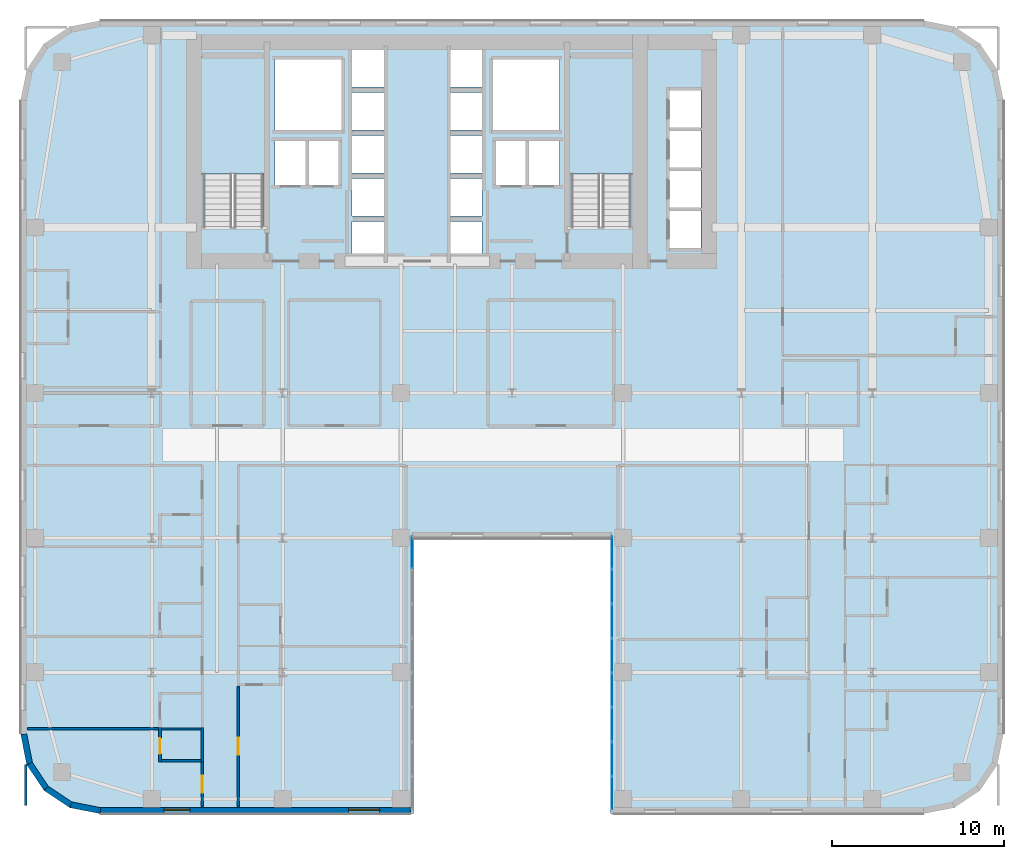
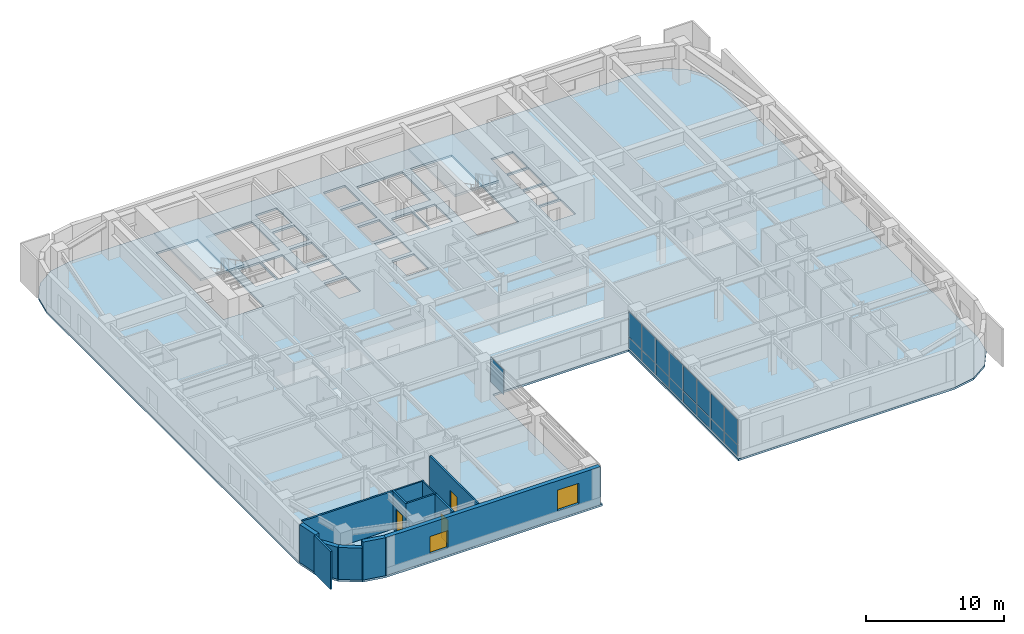
# One storey, part 13 of 25: 17 plates, 13 walls, 3 doors, 3 slabs, 2 windows, 5 openings, 4 elements without a shape of their own.
"""IFC4 building model written with IfcOpenShell, lengths in metres."""

import ifcopenshell
import ifcopenshell.guid

model = None  # the IFC model being written
_history = None  # IfcOwnerHistory: only IFC2X3 demands one
_inside = {}  # id of a spatial element -> (the spatial element, [elements in it])
_under = {}  # id of a project, library or spatial element -> (it, [spatial elements below it])
_declared = {}  # id of a project -> (the project, [libraries it declares])
_typed = {}  # id of a type object -> (the type object, [elements of that type])
_made_of = {}  # id of a material, layer set ... -> (it, [elements and type objects made of it])


def new_model(schema):
    """Start an empty IFC model of exactly this schema.

    Asked for "IFC4X3", IfcOpenShell would pick the latest addendum, in which some entities
    have other attributes; the version numbers below select the first issue.
    IFC2X3 requires an IfcOwnerHistory on every rooted entity: one is made here for all.
    """
    global model, _history
    if schema == "IFC4X3":
        model = ifcopenshell.file(schema_version=(4, 3, 0, 0))
    else:
        model = ifcopenshell.file(schema=schema)
    _inside.clear()
    _under.clear()
    _declared.clear()
    _typed.clear()
    _made_of.clear()
    _history = None
    if model.schema == "IFC2X3":
        org = make("IfcOrganization", Name="unknown")
        user = make(
            "IfcPersonAndOrganization",
            ThePerson=make("IfcPerson", FamilyName="unknown"),
            TheOrganization=org,
        )
        app = make(
            "IfcApplication",
            ApplicationDeveloper=org,
            Version="unknown",
            ApplicationFullName="unknown",
            ApplicationIdentifier="unknown",
        )
        _history = make(
            "IfcOwnerHistory",
            OwningUser=user,
            OwningApplication=app,
            ChangeAction="ADDED",
            CreationDate=0,
        )
    return model


def make(cls, **values):
    """One entity of the class cls with the attributes given. An attribute that is None is left unset."""
    return model.create_entity(
        cls, **{name: value for name, value in values.items() if value is not None}
    )


def rooted(cls, **values):
    """An entity with a GlobalId (a new one), such as an element, a storey or a relation."""
    return make(cls, GlobalId=ifcopenshell.guid.new(), OwnerHistory=_history, **values)


def si_unit(unit_type, name, prefix=None):
    """IfcSIUnit, for example si_unit("LENGTHUNIT", "METRE", prefix="MILLI")."""
    return make("IfcSIUnit", UnitType=unit_type, Prefix=prefix, Name=name)


def assignment(units):
    """IfcUnitAssignment: the units of a project."""
    return None if units is None else make("IfcUnitAssignment", Units=units)


def point(xyz):
    """IfcCartesianPoint."""
    return None if xyz is None else make("IfcCartesianPoint", Coordinates=xyz)


def direction(xyz):
    """IfcDirection."""
    return None if xyz is None else make("IfcDirection", DirectionRatios=xyz)


def frame(location, z_axis=None, x_axis=None):
    """IfcAxis2Placement3D, a coordinate frame: its origin and axes. An axis left out is left unset."""
    return make(
        "IfcAxis2Placement3D",
        Location=point(location),
        Axis=direction(z_axis),
        RefDirection=direction(x_axis),
    )


def frame_2d(location, x_axis=None):
    """IfcAxis2Placement2D, a coordinate frame in the plane: its origin and x axis."""
    return make(
        "IfcAxis2Placement2D", Location=point(location), RefDirection=direction(x_axis)
    )


def origin():
    """The frame at (0, 0, 0) with its axes left unset."""
    return frame((0.0, 0.0, 0.0))


def origin_2d():
    """The frame at (0, 0) in the plane with its x axis left unset."""
    return frame_2d((0.0, 0.0))


def place(relative_to, where):
    """IfcLocalPlacement: puts the frame where relative to a parent placement (None: the world)."""
    return make(
        "IfcLocalPlacement", PlacementRelTo=relative_to, RelativePlacement=where
    )


def context(
    kind, dimensions, precision=None, world=None, true_north=None, identifier=None
):
    """IfcGeometricRepresentationContext, for example the 3D "Model" context."""
    return make(
        "IfcGeometricRepresentationContext",
        ContextIdentifier=identifier,
        ContextType=kind,
        CoordinateSpaceDimension=dimensions,
        Precision=precision,
        WorldCoordinateSystem=world,
        TrueNorth=true_north,
    )


def subcontext(parent, identifier, kind, view, scale=None):
    """IfcGeometricRepresentationSubContext, for example "Body" below "Model"."""
    return make(
        "IfcGeometricRepresentationSubContext",
        ContextIdentifier=identifier,
        ContextType=kind,
        ParentContext=parent,
        TargetScale=scale,
        TargetView=view,
    )


def project(units=None, contexts=None):
    """IfcProject with its units and contexts."""
    return rooted(
        "IfcProject",
        Name="project",
        RepresentationContexts=contexts,
        UnitsInContext=assignment(units),
    )


def spatial(cls, under=None, at=None, **own):
    """A site, building, storey or space (cls), placed at a placement, below another one or the project."""
    s = rooted(cls, ObjectPlacement=at, **own)
    if under is not None:
        _under.setdefault(under.id(), (under, []))[1].append(s)
    return s


def polyline(points):
    """IfcPolyline through the points."""
    return make("IfcPolyline", Points=[point(p) for p in points])


def profile(cls, at=None, kind="AREA", **sizes):
    """A parametric profile (cls). Its sizes go by their IFC names, for example OverallWidth=200.0."""
    return make(cls, ProfileType=kind, Position=at, **sizes)


def rectangle(**sizes):
    """IfcRectangleProfileDef."""
    return profile("IfcRectangleProfileDef", **sizes)


def outline(outer, holes=None, kind="AREA"):
    """IfcArbitraryClosedProfileDef: a profile drawn as a closed curve; with holes, ...WithVoids."""
    if holes is None:
        return make("IfcArbitraryClosedProfileDef", ProfileType=kind, OuterCurve=outer)
    return make(
        "IfcArbitraryProfileDefWithVoids",
        ProfileType=kind,
        OuterCurve=outer,
        InnerCurves=holes,
    )


def extrude(swept, where, along, depth):
    """IfcExtrudedAreaSolid: the profile swept, set in the frame where, extruded along a direction by depth."""
    return make(
        "IfcExtrudedAreaSolid",
        SweptArea=swept,
        Position=where,
        ExtrudedDirection=direction(along),
        Depth=depth,
    )


def shape(context_of_items, identifier, shape_type, items):
    """IfcShapeRepresentation: the items that make up one representation, for example the "Body"."""
    return make(
        "IfcShapeRepresentation",
        ContextOfItems=context_of_items,
        RepresentationIdentifier=identifier,
        RepresentationType=shape_type,
        Items=items,
    )


def source(mapping_origin, context_of_items, identifier, shape_type, items):
    """IfcRepresentationMap: a shape defined once, which mapped items show again and again."""
    return make(
        "IfcRepresentationMap",
        MappingOrigin=mapping_origin,
        MappedRepresentation=shape(context_of_items, identifier, shape_type, items),
    )


def transform(
    local_origin,
    x_axis=None,
    y_axis=None,
    z_axis=None,
    scale=None,
    scale2=None,
    scale3=None,
    uniform=True,
):
    """IfcCartesianTransformationOperator3D, or its non-uniform kind. x_axis, y_axis, z_axis: its Axis1, 2, 3."""
    if uniform:
        return make(
            "IfcCartesianTransformationOperator3D",
            Axis1=direction(x_axis),
            Axis2=direction(y_axis),
            LocalOrigin=point(local_origin),
            Scale=scale,
            Axis3=direction(z_axis),
        )
    return make(
        "IfcCartesianTransformationOperator3DnonUniform",
        Axis1=direction(x_axis),
        Axis2=direction(y_axis),
        LocalOrigin=point(local_origin),
        Scale=scale,
        Axis3=direction(z_axis),
        Scale2=scale2,
        Scale3=scale3,
    )


def mapped(mapping_source, mapping_target):
    """IfcMappedItem: shows the shape of a source again, moved by a transform."""
    return make(
        "IfcMappedItem", MappingSource=mapping_source, MappingTarget=mapping_target
    )


def material(Name=None, Category=None):
    """IfcMaterial."""
    return make("IfcMaterial", Name=Name, Category=Category)


def layer(
    of_material, thickness, ventilated=None, Name=None, Category=None, Priority=None
):
    """IfcMaterialLayer: one layer of a wall or slab, of a material (None: an air gap)."""
    return make(
        "IfcMaterialLayer",
        Material=of_material,
        LayerThickness=thickness,
        IsVentilated=ventilated,
        Name=Name,
        Category=Category,
        Priority=Priority,
    )


def layer_set(layers, Name=None):
    """IfcMaterialLayerSet."""
    return make("IfcMaterialLayerSet", MaterialLayers=layers, LayerSetName=Name)


def made_of(thing, what):
    """Note that an element or type object is made of a material, layer set ...; save() writes the relation."""
    if what is not None:
        _made_of.setdefault(what.id(), (what, []))[1].append(thing)
    return thing


def type_object(cls, material=None, **own):
    """A type object (cls), such as IfcWallType, which elements share."""
    return made_of(rooted(cls, **own), material)


def type_shapes(of_type, sources):
    """Give a type object the sources (RepresentationMaps) that its elements show as mapped items."""
    of_type.RepresentationMaps = sources


def element(
    cls,
    number,
    at=None,
    inside=None,
    cuts=None,
    type_object=None,
    material=None,
    context=None,
    identifier="Body",
    shape_type=None,
    held_by="IfcProductDefinitionShape",
    body=None,
    shapes=None,
    **own,
):
    """One element of the class cls, such as IfcWall. Its Tag is "e" and its number.

    at: its placement. inside: the storey or other place that contains it. cuts: it is an
    opening in that element (IfcRelVoidsElement). A single representation is given by context,
    identifier, shape_type and body (its items); several are given by shapes. held_by: the class
    of the entity that holds the representations. save() writes the other relations.
    """
    e = rooted(cls, Tag="e%d" % number, ObjectPlacement=at, **own)
    if body is not None:
        shapes = [shape(context, identifier, shape_type, body)]
    if shapes is not None:
        e.Representation = make(held_by, Representations=shapes)
    if inside is not None:
        _inside.setdefault(inside.id(), (inside, []))[1].append(e)
    if cuts is not None:
        rooted(
            "IfcRelVoidsElement", RelatingBuildingElement=cuts, RelatedOpeningElement=e
        )
    if type_object is not None:
        _typed.setdefault(type_object.id(), (type_object, []))[1].append(e)
    return made_of(e, material)


def fill(opening, filler):
    """IfcRelFillsElement: the door or window that sits in an opening."""
    return rooted(
        "IfcRelFillsElement",
        RelatingOpeningElement=opening,
        RelatedBuildingElement=filler,
    )


def aggregate(whole, parts):
    """IfcRelAggregates: a whole, such as a stair, and the parts it consists of."""
    return rooted("IfcRelAggregates", RelatingObject=whole, RelatedObjects=parts)


def save(model, path):
    """Write the relations noted so far, then the file.

    IfcRelAggregates (storeys below a building ...), IfcRelContainedInSpatialStructure (elements
    in a storey), IfcRelDefinesByType, IfcRelAssociatesMaterial and IfcRelDeclares: one each for
    every whole, place, type object, material and project.
    """
    for whole, parts in _under.values():
        aggregate(whole, parts)
    for where, things in _inside.values():
        rooted(
            "IfcRelContainedInSpatialStructure",
            RelatedElements=things,
            RelatingStructure=where,
        )
    for kind, things in _typed.values():
        rooted("IfcRelDefinesByType", RelatedObjects=things, RelatingType=kind)
    for what, things in _made_of.values():
        rooted("IfcRelAssociatesMaterial", RelatedObjects=things, RelatingMaterial=what)
    for by, libraries in _declared.values():
        rooted("IfcRelDeclares", RelatingContext=by, RelatedDefinitions=libraries)
    model.write(path)


model = new_model("IFC4")

# Units and contexts
model_context = context("Model", 3, precision=1e-05, world=origin(), true_north=direction((0.0, 1.0)))
body_context = subcontext(model_context, "Body", "Model", "MODEL_VIEW")
ifc_project = project(units=[si_unit("LENGTHUNIT", "METRE"), si_unit("AREAUNIT", "SQUARE_METRE"), si_unit("VOLUMEUNIT", "CUBIC_METRE"), si_unit("PLANEANGLEUNIT", "RADIAN"), si_unit("MASSUNIT", "GRAM", prefix="KILO")], contexts=[model_context])

# Site, building, storey
site_placement = place(None, origin())
site = spatial("IfcSite", under=ifc_project, at=site_placement, CompositionType="ELEMENT")
building_placement = place(site_placement, origin())
building = spatial("IfcBuilding", under=site, at=building_placement, Name="Tolvann Quenvar Hotel", CompositionType="ELEMENT")
storey_placement = place(building_placement, frame((0.0, 0.0, 60.39990234375)))
storey = spatial("IfcBuildingStorey", under=building, at=storey_placement, Name="L14", CompositionType="ELEMENT", Elevation=60.39990234375)

# Stair, slab
ifc_material_1 = material(Name="Concrete N40 (40 MPa)", Category="concrete")
stair_type = type_object("IfcStairType", Name="STAIR", PredefinedType="HALF_TURN_STAIR", material=ifc_material_1)
stair_1_placement = place(storey_placement, origin())
stair_1 = element("IfcStair", 1, at=stair_1_placement, inside=storey, type_object=stair_type, Name="L14 ST-C1", PredefinedType="HALF_TURN_STAIR")
ifc_layer_1 = layer(ifc_material_1, 0.199951171875)
ifc_layer_set_1 = layer_set([ifc_layer_1], Name="Concrete N40 (40 MPa)")
slab_type_1 = type_object("IfcSlabType", Name="SLAB_LANDING", PredefinedType="LANDING", material=ifc_layer_set_1)
slab_1_placement = place(storey_placement, frame((0.0, 0.0, 1.5751953125)))
slab_1 = element("IfcSlab", 2, at=slab_1_placement, type_object=slab_type_1, Name="ST-C1 landing 1", PredefinedType="LANDING", context=body_context, shape_type="SweptSolid", body=[
    extrude(outline(polyline([(14.179931640625, 37.10498046875), (14.179931640625, 43.8798828125), (10.469970703125, 43.8798828125), (10.469970703125, 37.10498046875), (14.179931640625, 37.10498046875)])), origin(), (0.0, 0.0, 1.0), 0.199951171875),
])
aggregate(stair_1, [slab_1])

stair_2_placement = place(storey_placement, origin())
stair_2 = element("IfcStair", 3, at=stair_2_placement, inside=storey, type_object=stair_type, Name="L14 ST-C2", PredefinedType="HALF_TURN_STAIR")
slab_2_placement = place(storey_placement, frame((0.0, 0.0, 1.5751953125)))
slab_2 = element("IfcSlab", 4, at=slab_2_placement, type_object=slab_type_1, Name="ST-C2 landing 1", PredefinedType="LANDING", context=body_context, shape_type="SweptSolid", body=[
    extrude(outline(polyline([(35.530029296875, 37.10498046875), (35.530029296875, 43.8798828125), (31.820068359375, 43.8798828125), (31.820068359375, 37.10498046875), (35.530029296875, 37.10498046875)])), origin(), (0.0, 0.0, 1.0), 0.199951171875),
])
aggregate(stair_2, [slab_2])

# Slab
ifc_layer_2 = layer(ifc_material_1, 0.179931640625)
ifc_layer_set_2 = layer_set([ifc_layer_2], Name="Concrete N40 (40 MPa)")
slab_type_2 = type_object("IfcSlabType", Name="SLAB_TWR_180", PredefinedType="FLOOR", material=ifc_layer_set_2)
slab_3_placement = place(storey_placement, frame((0.0, 0.0, -0.179931640625)))
element("IfcSlab", 5, at=slab_3_placement, inside=storey, type_object=slab_type_2, Name="Level L14 Structural Floor Slab", PredefinedType="FLOOR", context=body_context, shape_type="SweptSolid", body=[
    extrude(outline(polyline([(0.0, 4.60009765625), (0.35009765625, 2.839599609375), (1.347412109375, 1.347412109375), (2.839599609375, 0.35009765625), (4.60009765625, 0.0), (22.800048828125, 0.0), (22.800048828125, 16.0), (34.199951171875, 16.0), (34.199951171875, 0.0), (52.39990234375, 0.0), (54.160400390625, 0.35009765625), (55.652587890625, 1.347412109375), (56.64990234375, 2.839599609375), (57.0, 4.60009765625), (57.0, 41.39990234375), (56.64990234375, 43.160400390625), (55.652587890625, 44.652587890625), (54.160400390625, 45.64990234375), (52.39990234375, 46.0), (4.60009765625, 46.0), (2.839599609375, 45.64990234375), (1.347412109375, 44.652587890625), (0.35009765625, 43.160400390625), (0.0, 41.39990234375), (0.0, 4.60009765625)]), holes=[polyline([(37.6298828125, 41.949951171875), (39.469970703125, 41.949951171875), (39.469970703125, 39.77001953125), (37.6298828125, 39.77001953125), (37.6298828125, 41.949951171875)]), polyline([(37.6298828125, 39.6298828125), (39.469970703125, 39.6298828125), (39.469970703125, 37.449951171875), (37.6298828125, 37.449951171875), (37.6298828125, 39.6298828125)]), polyline([(37.6298828125, 37.31005859375), (39.469970703125, 37.31005859375), (39.469970703125, 35.1298828125), (37.6298828125, 35.1298828125), (37.6298828125, 37.31005859375)]), polyline([(37.6298828125, 34.989990234375), (39.469970703125, 34.989990234375), (39.469970703125, 32.81005859375), (37.6298828125, 32.81005859375), (37.6298828125, 34.989990234375)]), polyline([(31.949951171875, 43.800048828125), (35.39990234375, 43.800048828125), (35.39990234375, 34.02490234375), (31.949951171875, 34.02490234375), (31.949951171875, 43.800048828125)]), polyline([(31.25, 39.02001953125), (31.25, 36.47998046875), (29.449951171875, 36.47998046875), (29.449951171875, 39.02001953125), (31.25, 39.02001953125)]), polyline([(31.25, 43.75), (31.25, 39.64990234375), (27.39990234375, 39.64990234375), (27.39990234375, 43.75), (31.25, 43.75)]), polyline([(27.574951171875, 39.02001953125), (29.324951171875, 39.02001953125), (29.324951171875, 36.47998046875), (27.574951171875, 36.47998046875), (27.574951171875, 39.02001953125)]), polyline([(26.77001953125, 36.840087890625), (26.77001953125, 34.659912109375), (24.929931640625, 34.659912109375), (24.929931640625, 36.840087890625), (26.77001953125, 36.840087890625)]), polyline([(26.77001953125, 44.340087890625), (26.77001953125, 42.159912109375), (24.929931640625, 42.159912109375), (24.929931640625, 44.340087890625), (26.77001953125, 44.340087890625)]), polyline([(26.77001953125, 41.840087890625), (26.77001953125, 39.659912109375), (24.929931640625, 39.659912109375), (24.929931640625, 41.840087890625), (26.77001953125, 41.840087890625)]), polyline([(26.77001953125, 39.340087890625), (26.77001953125, 37.159912109375), (24.929931640625, 37.159912109375), (24.929931640625, 39.340087890625), (26.77001953125, 39.340087890625)]), polyline([(24.929931640625, 34.340087890625), (26.77001953125, 34.340087890625), (26.77001953125, 32.159912109375), (24.929931640625, 32.159912109375), (24.929931640625, 34.340087890625)]), polyline([(21.070068359375, 44.340087890625), (21.070068359375, 42.159912109375), (19.22998046875, 42.159912109375), (19.22998046875, 44.340087890625), (21.070068359375, 44.340087890625)]), polyline([(19.22998046875, 41.840087890625), (21.070068359375, 41.840087890625), (21.070068359375, 39.659912109375), (19.22998046875, 39.659912109375), (19.22998046875, 41.840087890625)]), polyline([(21.070068359375, 39.340087890625), (21.070068359375, 37.159912109375), (19.22998046875, 37.159912109375), (19.22998046875, 39.340087890625), (21.070068359375, 39.340087890625)]), polyline([(19.22998046875, 36.840087890625), (21.070068359375, 36.840087890625), (21.070068359375, 34.659912109375), (19.22998046875, 34.659912109375), (19.22998046875, 36.840087890625)]), polyline([(19.22998046875, 34.340087890625), (21.070068359375, 34.340087890625), (21.070068359375, 32.159912109375), (19.22998046875, 32.159912109375), (19.22998046875, 34.340087890625)]), polyline([(18.60009765625, 43.75), (18.60009765625, 39.64990234375), (14.75, 39.64990234375), (14.75, 43.75), (18.60009765625, 43.75)]), polyline([(16.675048828125, 39.02001953125), (18.425048828125, 39.02001953125), (18.425048828125, 36.47998046875), (16.675048828125, 36.47998046875), (16.675048828125, 39.02001953125)]), polyline([(16.550048828125, 39.02001953125), (16.550048828125, 36.47998046875), (14.75, 36.47998046875), (14.75, 39.02001953125), (16.550048828125, 39.02001953125)]), polyline([(10.60009765625, 43.800048828125), (14.050048828125, 43.800048828125), (14.050048828125, 34.02490234375), (10.60009765625, 34.02490234375), (10.60009765625, 43.800048828125)])]), origin(), (0.0, 0.0, 1.0), 0.179931640625),
])

# Curtain wall, plates
ifc_material_2 = material(Name="Thermally broken anodised architectural aluminium 6063-T6 and laminated low-E glass", Category="aluminium")
ifc_layer_3 = layer(ifc_material_2, 0.179931640625)
ifc_layer_set_3 = layer_set([ifc_layer_3], Name="Thermally broken anodised architectural aluminium 6063-T6 and laminated low-E glass")
curtain_wall_type = type_object("IfcCurtainWallType", Name="CW_SYS_SLOT_03", PredefinedType="USERDEFINED", material=ifc_layer_set_3)
curtain_wall_1_placement = place(storey_placement, origin())
curtain_wall_1 = element("IfcCurtainWall", 6, at=curtain_wall_1_placement, inside=storey, type_object=curtain_wall_type, Name="Curtain Wall CW-SLOT-03 (CWR-L14-E07)", ObjectType="UNITISED CURTAIN WALL", PredefinedType="USERDEFINED")
ifc_material_3 = material(Name="Low-iron laminated double glazing with solar-control coating", Category="glass")
ifc_layer_4 = layer(ifc_material_3, 0.028076171875)
ifc_layer_set_4 = layer_set([ifc_layer_4], Name="Low-iron laminated double glazing with solar-control coating")
plate_type = type_object("IfcPlateType", Name="CW_PAN_VISION_28", PredefinedType="CURTAIN_PANEL", material=ifc_layer_set_4)
shared_shape_1 = source(origin(), body_context, "Body", "SweptSolid", [
    extrude(rectangle(XDim=1.89501953125, YDim=0.028076171875, at=origin_2d()), origin(), (0.0, 0.0, 1.0), 0.9599609375),
])
plate_1_placement = place(storey_placement, frame((34.2900390625, 15.157470703125, 0.06005859375), z_axis=(0.0, 0.0, 1.0), x_axis=(0.0, -1.0, 0.0)))
plate_1 = element("IfcPlate", 7, at=plate_1_placement, type_object=plate_type, Name="CW-SLOT-03 panel 1.1", PredefinedType="CURTAIN_PANEL", context=body_context, shape_type="MappedRepresentation", body=[
    mapped(shared_shape_1, transform((0.0, 0.0, 0.0), x_axis=(1.0, 0.0, 0.0), y_axis=(0.0, 1.0, 0.0), z_axis=(0.0, 0.0, 1.0), scale=1.0)),
])
plate_2_placement = place(storey_placement, frame((34.2900390625, 1.1923828125, 0.06005859375), z_axis=(0.0, 0.0, 1.0), x_axis=(0.0, -1.0, 0.0)))
plate_2 = element("IfcPlate", 8, at=plate_2_placement, type_object=plate_type, Name="CW-SLOT-03 panel 8.1", PredefinedType="CURTAIN_PANEL", context=body_context, shape_type="MappedRepresentation", body=[
    mapped(shared_shape_1, transform((0.0, 0.0, 0.0), x_axis=(1.0, 0.0, 0.0), y_axis=(0.0, 1.0, 0.0), z_axis=(0.0, 0.0, 1.0), scale=1.0)),
])

# Curtain wall, plate
curtain_wall_2_placement = place(storey_placement, origin())
curtain_wall_2 = element("IfcCurtainWall", 9, at=curtain_wall_2_placement, inside=storey, type_object=curtain_wall_type, Name="Curtain Wall CW-SLOT-03 (CWR-L14-E05)", ObjectType="UNITISED CURTAIN WALL", PredefinedType="USERDEFINED")
shared_shape_2 = source(origin(), body_context, "Body", "SweptSolid", [
    extrude(rectangle(XDim=1.89501953125, YDim=0.028076171875, at=origin_2d()), origin(), (0.0, 0.0, 1.0), 2.22998046875),
])
plate_3_placement = place(storey_placement, frame((22.7099609375, 15.157470703125, 1.080078125), z_axis=(0.0, 0.0, 1.0), x_axis=(0.0, 1.0, 0.0)))
plate_3 = element("IfcPlate", 10, at=plate_3_placement, type_object=plate_type, Name="CW-SLOT-03 panel 8.2", PredefinedType="CURTAIN_PANEL", context=body_context, shape_type="MappedRepresentation", body=[
    mapped(shared_shape_2, transform((0.0, 0.0, 0.0), x_axis=(1.0, 0.0, 0.0), y_axis=(0.0, 1.0, 0.0), z_axis=(0.0, 0.0, 1.0), scale=1.0)),
])
aggregate(curtain_wall_2, [plate_3])

# Plate
plate_4_placement = place(storey_placement, frame((34.2900390625, 15.157470703125, 1.080078125), z_axis=(0.0, 0.0, 1.0), x_axis=(0.0, -1.0, 0.0)))
plate_4 = element("IfcPlate", 11, at=plate_4_placement, type_object=plate_type, Name="CW-SLOT-03 panel 1.2", PredefinedType="CURTAIN_PANEL", context=body_context, shape_type="MappedRepresentation", body=[
    mapped(shared_shape_2, transform((0.0, 0.0, 0.0), x_axis=(1.0, 0.0, 0.0), y_axis=(0.0, 1.0, 0.0), z_axis=(0.0, 0.0, 1.0), scale=1.0)),
])

plate_5_placement = place(storey_placement, frame((34.2900390625, 1.1923828125, 1.080078125), z_axis=(0.0, 0.0, 1.0), x_axis=(0.0, -1.0, 0.0)))
plate_5 = element("IfcPlate", 12, at=plate_5_placement, type_object=plate_type, Name="CW-SLOT-03 panel 8.2", PredefinedType="CURTAIN_PANEL", context=body_context, shape_type="MappedRepresentation", body=[
    mapped(shared_shape_2, transform((0.0, 0.0, 0.0), x_axis=(1.0, 0.0, 0.0), y_axis=(0.0, 1.0, 0.0), z_axis=(0.0, 0.0, 1.0), scale=1.0)),
])

shared_shape_3 = source(origin(), body_context, "Body", "SweptSolid", [
    extrude(rectangle(XDim=1.929931640625, YDim=0.028076171875, at=origin_2d()), origin(), (0.0, 0.0, 1.0), 0.9599609375),
])
plate_6_placement = place(storey_placement, frame((34.2900390625, 13.175048828125, 0.06005859375), z_axis=(0.0, 0.0, 1.0), x_axis=(0.0, -1.0, 0.0)))
plate_6 = element("IfcPlate", 13, at=plate_6_placement, type_object=plate_type, Name="CW-SLOT-03 panel 2.1", PredefinedType="CURTAIN_PANEL", context=body_context, shape_type="MappedRepresentation", body=[
    mapped(shared_shape_3, transform((0.0, 0.0, 0.0), x_axis=(1.0, 0.0, 0.0), y_axis=(0.0, 1.0, 0.0), z_axis=(0.0, 0.0, 1.0), scale=1.0)),
])

plate_7_placement = place(storey_placement, frame((34.2900390625, 11.175048828125, 0.06005859375), z_axis=(0.0, 0.0, 1.0), x_axis=(0.0, -1.0, 0.0)))
plate_7 = element("IfcPlate", 14, at=plate_7_placement, type_object=plate_type, Name="CW-SLOT-03 panel 3.1", PredefinedType="CURTAIN_PANEL", context=body_context, shape_type="MappedRepresentation", body=[
    mapped(shared_shape_3, transform((0.0, 0.0, 0.0), x_axis=(1.0, 0.0, 0.0), y_axis=(0.0, 1.0, 0.0), z_axis=(0.0, 0.0, 1.0), scale=1.0)),
])

plate_8_placement = place(storey_placement, frame((34.2900390625, 9.175048828125, 0.06005859375), z_axis=(0.0, 0.0, 1.0), x_axis=(0.0, -1.0, 0.0)))
plate_8 = element("IfcPlate", 15, at=plate_8_placement, type_object=plate_type, Name="CW-SLOT-03 panel 4.1", PredefinedType="CURTAIN_PANEL", context=body_context, shape_type="MappedRepresentation", body=[
    mapped(shared_shape_3, transform((0.0, 0.0, 0.0), x_axis=(1.0, 0.0, 0.0), y_axis=(0.0, 1.0, 0.0), z_axis=(0.0, 0.0, 1.0), scale=1.0)),
])

plate_9_placement = place(storey_placement, frame((34.2900390625, 7.175048828125, 0.06005859375), z_axis=(0.0, 0.0, 1.0), x_axis=(0.0, -1.0, 0.0)))
plate_9 = element("IfcPlate", 16, at=plate_9_placement, type_object=plate_type, Name="CW-SLOT-03 panel 5.1", PredefinedType="CURTAIN_PANEL", context=body_context, shape_type="MappedRepresentation", body=[
    mapped(shared_shape_3, transform((0.0, 0.0, 0.0), x_axis=(1.0, 0.0, 0.0), y_axis=(0.0, 1.0, 0.0), z_axis=(0.0, 0.0, 1.0), scale=1.0)),
])

plate_10_placement = place(storey_placement, frame((34.2900390625, 5.175048828125, 0.06005859375), z_axis=(0.0, 0.0, 1.0), x_axis=(0.0, -1.0, 0.0)))
plate_10 = element("IfcPlate", 17, at=plate_10_placement, type_object=plate_type, Name="CW-SLOT-03 panel 6.1", PredefinedType="CURTAIN_PANEL", context=body_context, shape_type="MappedRepresentation", body=[
    mapped(shared_shape_3, transform((0.0, 0.0, 0.0), x_axis=(1.0, 0.0, 0.0), y_axis=(0.0, 1.0, 0.0), z_axis=(0.0, 0.0, 1.0), scale=1.0)),
])

plate_11_placement = place(storey_placement, frame((34.2900390625, 3.175048828125, 0.06005859375), z_axis=(0.0, 0.0, 1.0), x_axis=(0.0, -1.0, 0.0)))
plate_11 = element("IfcPlate", 18, at=plate_11_placement, type_object=plate_type, Name="CW-SLOT-03 panel 7.1", PredefinedType="CURTAIN_PANEL", context=body_context, shape_type="MappedRepresentation", body=[
    mapped(shared_shape_3, transform((0.0, 0.0, 0.0), x_axis=(1.0, 0.0, 0.0), y_axis=(0.0, 1.0, 0.0), z_axis=(0.0, 0.0, 1.0), scale=1.0)),
])

shared_shape_4 = source(origin(), body_context, "Body", "SweptSolid", [
    extrude(rectangle(XDim=1.929931640625, YDim=0.028076171875, at=origin_2d()), origin(), (0.0, 0.0, 1.0), 2.22998046875),
])
type_shapes(plate_type, [shared_shape_1, shared_shape_2, shared_shape_3, shared_shape_4])
plate_12_placement = place(storey_placement, frame((34.2900390625, 13.175048828125, 1.080078125), z_axis=(0.0, 0.0, 1.0), x_axis=(0.0, -1.0, 0.0)))
plate_12 = element("IfcPlate", 19, at=plate_12_placement, type_object=plate_type, Name="CW-SLOT-03 panel 2.2", PredefinedType="CURTAIN_PANEL", context=body_context, shape_type="MappedRepresentation", body=[
    mapped(shared_shape_4, transform((0.0, 0.0, 0.0), x_axis=(1.0, 0.0, 0.0), y_axis=(0.0, 1.0, 0.0), z_axis=(0.0, 0.0, 1.0), scale=1.0)),
])

plate_13_placement = place(storey_placement, frame((34.2900390625, 11.175048828125, 1.080078125), z_axis=(0.0, 0.0, 1.0), x_axis=(0.0, -1.0, 0.0)))
plate_13 = element("IfcPlate", 20, at=plate_13_placement, type_object=plate_type, Name="CW-SLOT-03 panel 3.2", PredefinedType="CURTAIN_PANEL", context=body_context, shape_type="MappedRepresentation", body=[
    mapped(shared_shape_4, transform((0.0, 0.0, 0.0), x_axis=(1.0, 0.0, 0.0), y_axis=(0.0, 1.0, 0.0), z_axis=(0.0, 0.0, 1.0), scale=1.0)),
])

plate_14_placement = place(storey_placement, frame((34.2900390625, 9.175048828125, 1.080078125), z_axis=(0.0, 0.0, 1.0), x_axis=(0.0, -1.0, 0.0)))
plate_14 = element("IfcPlate", 21, at=plate_14_placement, type_object=plate_type, Name="CW-SLOT-03 panel 4.2", PredefinedType="CURTAIN_PANEL", context=body_context, shape_type="MappedRepresentation", body=[
    mapped(shared_shape_4, transform((0.0, 0.0, 0.0), x_axis=(1.0, 0.0, 0.0), y_axis=(0.0, 1.0, 0.0), z_axis=(0.0, 0.0, 1.0), scale=1.0)),
])

plate_15_placement = place(storey_placement, frame((34.2900390625, 7.175048828125, 1.080078125), z_axis=(0.0, 0.0, 1.0), x_axis=(0.0, -1.0, 0.0)))
plate_15 = element("IfcPlate", 22, at=plate_15_placement, type_object=plate_type, Name="CW-SLOT-03 panel 5.2", PredefinedType="CURTAIN_PANEL", context=body_context, shape_type="MappedRepresentation", body=[
    mapped(shared_shape_4, transform((0.0, 0.0, 0.0), x_axis=(1.0, 0.0, 0.0), y_axis=(0.0, 1.0, 0.0), z_axis=(0.0, 0.0, 1.0), scale=1.0)),
])

plate_16_placement = place(storey_placement, frame((34.2900390625, 5.175048828125, 1.080078125), z_axis=(0.0, 0.0, 1.0), x_axis=(0.0, -1.0, 0.0)))
plate_16 = element("IfcPlate", 23, at=plate_16_placement, type_object=plate_type, Name="CW-SLOT-03 panel 6.2", PredefinedType="CURTAIN_PANEL", context=body_context, shape_type="MappedRepresentation", body=[
    mapped(shared_shape_4, transform((0.0, 0.0, 0.0), x_axis=(1.0, 0.0, 0.0), y_axis=(0.0, 1.0, 0.0), z_axis=(0.0, 0.0, 1.0), scale=1.0)),
])

plate_17_placement = place(storey_placement, frame((34.2900390625, 3.175048828125, 1.080078125), z_axis=(0.0, 0.0, 1.0), x_axis=(0.0, -1.0, 0.0)))
plate_17 = element("IfcPlate", 24, at=plate_17_placement, type_object=plate_type, Name="CW-SLOT-03 panel 7.2", PredefinedType="CURTAIN_PANEL", context=body_context, shape_type="MappedRepresentation", body=[
    mapped(shared_shape_4, transform((0.0, 0.0, 0.0), x_axis=(1.0, 0.0, 0.0), y_axis=(0.0, 1.0, 0.0), z_axis=(0.0, 0.0, 1.0), scale=1.0)),
])

aggregate(curtain_wall_1, [plate_1, plate_4, plate_6, plate_12, plate_7, plate_13, plate_8, plate_14, plate_9, plate_15, plate_10, plate_16, plate_11, plate_17, plate_2, plate_5])

# Walls
ifc_material_4 = material(Name="Kiln-fired red and buff architectural clay brickwork and terracotta masonry", Category="masonry")
ifc_layer_5 = layer(ifc_material_4, 0.35009765625)
ifc_layer_set_5 = layer_set([ifc_layer_5], Name="Kiln-fired red and buff architectural clay brickwork and terracotta masonry")
wall_type_1 = type_object("IfcWallType", Name="WALL_EXT_BRICK_350", PredefinedType="SOLIDWALL", material=ifc_layer_set_5)
for number, where, z_axis, x_axis, name in (
    (25, (0.514892578125, 2.907958984375, 0.0), (0.0, 0.0, 1.0), (0.55554893791, -0.831483840845, 0.0), "Exterior Chicago Brick Wall L14-E01"),
    (26, (1.473388671875, 1.473388671875, 0.0), (0.0, 0.0, 1.0), (0.831483840845, -0.55554893791, 0.0), "Exterior Chicago Brick Wall L14-E02"),
):
    element("IfcWall", number, at=place(storey_placement, frame(where, z_axis=z_axis, x_axis=x_axis)), inside=storey, type_object=wall_type_1, Name=name, PredefinedType="SOLIDWALL", context=body_context, shape_type="SweptSolid", body=[
        extrude(rectangle(XDim=1.725341796875, YDim=0.35009765625, at=frame_2d((0.86279296875, 0.0))), origin(), (0.0, 0.0, 1.0), 2.83203125),
    ])
wall_1_placement = place(storey_placement, frame((2.907958984375, 0.514892578125, 0.0), z_axis=(0.0, 0.0, 1.0), x_axis=(0.980800971659, -0.195011420161, 0.0)))
element("IfcWall", 27, at=wall_1_placement, inside=storey, type_object=wall_type_1, Name="Exterior Chicago Brick Wall L14-E03", PredefinedType="SOLIDWALL", context=body_context, shape_type="SweptSolid", body=[
    extrude(rectangle(XDim=1.74267578125, YDim=0.35009765625, at=frame_2d((0.871337890625, 0.0))), origin(), (0.0, 0.0, 1.0), 3.3701171875),
])

# Wall, openings, windows
wall_2_placement = place(storey_placement, frame((4.6171875, 0.175048828125, 0.0), z_axis=(0.0, 0.0, 1.0), x_axis=(1.0, 0.0, 0.0)))
wall_2 = element("IfcWall", 28, at=wall_2_placement, inside=storey, type_object=wall_type_1, Name="Exterior Chicago Brick Wall L14-E04", PredefinedType="SOLIDWALL", context=body_context, shape_type="SweptSolid", body=[
    extrude(rectangle(XDim=18.0078125, YDim=0.35009765625, at=frame_2d((9.00390625, 0.0))), origin(), (0.0, 0.0, 1.0), 3.3701171875),
])
opening_1_placement = place(wall_2_placement, frame((14.406982421875, 0.0, 0.679931640625)))
opening_1 = element("IfcOpeningElement", 29, at=opening_1_placement, cuts=wall_2, Name="Opening W-03", PredefinedType="OPENING", context=body_context, shape_type="SweptSolid", body=[
    extrude(rectangle(XDim=1.800048828125, YDim=1.85009765625, at=frame_2d((0.89990234375, 0.925048828125))), frame((0.0, 0.18505859375, 0.0), z_axis=(0.0, -1.0, 0.0), x_axis=(1.0, 0.0, 0.0)), (0.0, 0.0, 1.0), 0.3701171875),
])
opening_2_placement = place(wall_2_placement, frame((3.699951171875, 0.0, 0.6201171875)))
opening_2 = element("IfcOpeningElement", 30, at=opening_2_placement, cuts=wall_2, Name="Opening W-08", PredefinedType="OPENING", context=body_context, shape_type="SweptSolid", body=[
    extrude(rectangle(XDim=1.5, YDim=1.550048828125, at=frame_2d((0.75, 0.77490234375))), frame((0.0, 0.18505859375, 0.0), z_axis=(0.0, -1.0, 0.0), x_axis=(1.0, 0.0, 0.0)), (0.0, 0.0, 1.0), 0.3701171875),
])
ifc_material_5 = material(Name="Thermally broken bronze-anodised aluminium frame with double low-E glazing", Category="aluminium")
window_type_1 = type_object("IfcWindowType", Name="WIN_COR_1500x2050", PartitioningType="SINGLE_PANEL", PredefinedType="WINDOW", material=ifc_material_5)
shared_shape_5 = source(origin(), body_context, "Body", "SweptSolid", [
    extrude(rectangle(XDim=1.5, YDim=1.550048828125, at=frame_2d((0.75, 0.77490234375))), frame((0.0, 0.090087890625, 0.0), z_axis=(0.0, -1.0, 0.0), x_axis=(1.0, 0.0, 0.0)), (0.0, 0.0, 1.0), 0.06005859375),
])
type_shapes(window_type_1, [shared_shape_5])
window_1_placement = place(opening_2_placement, origin())
window_1 = element("IfcWindow", 31, at=window_1_placement, inside=storey, type_object=window_type_1, Name="Chicago Window W-08 (EW-L14-E04-WD02)", OverallHeight=1.550048828125, OverallWidth=1.5, PartitioningType="SINGLE_PANEL", PredefinedType="WINDOW", context=body_context, shape_type="MappedRepresentation", body=[
    mapped(shared_shape_5, transform((0.0, 0.0, 0.0), x_axis=(1.0, 0.0, 0.0), y_axis=(0.0, 1.0, 0.0), z_axis=(0.0, 0.0, 1.0), scale=1.0)),
])
fill(opening_2, window_1)
window_type_2 = type_object("IfcWindowType", Name="WIN_CHI_1800x2050", PartitioningType="TRIPLE_PANEL_HORIZONTAL", PredefinedType="WINDOW", material=ifc_material_5)
shared_shape_6 = source(origin(), body_context, "Body", "SweptSolid", [
    extrude(rectangle(XDim=1.800048828125, YDim=1.85009765625, at=frame_2d((0.89990234375, 0.925048828125))), frame((0.0, 0.090087890625, 0.0), z_axis=(0.0, -1.0, 0.0), x_axis=(1.0, 0.0, 0.0)), (0.0, 0.0, 1.0), 0.06005859375),
])
type_shapes(window_type_2, [shared_shape_6])
window_2_placement = place(opening_1_placement, origin())
window_2 = element("IfcWindow", 32, at=window_2_placement, inside=storey, type_object=window_type_2, Name="Chicago Window W-03 (EW-L14-E04-W01)", OverallHeight=1.85009765625, OverallWidth=1.800048828125, PartitioningType="TRIPLE_PANEL_HORIZONTAL", PredefinedType="WINDOW", context=body_context, shape_type="MappedRepresentation", body=[
    mapped(shared_shape_6, transform((0.0, 0.0, 0.0), x_axis=(1.0, 0.0, 0.0), y_axis=(0.0, 1.0, 0.0), z_axis=(0.0, 0.0, 1.0), scale=1.0)),
])
fill(opening_1, window_2)

# Walls
wall_3_placement = place(storey_placement, frame((0.175048828125, 4.6171875, 0.0), z_axis=(0.0, 0.0, 1.0), x_axis=(0.195011420161, -0.980800971659, 0.0)))
element("IfcWall", 33, at=wall_3_placement, inside=storey, type_object=wall_type_1, Name="Exterior Chicago Brick Wall L14-E24", PredefinedType="SOLIDWALL", context=body_context, shape_type="SweptSolid", body=[
    extrude(rectangle(XDim=1.74267578125, YDim=0.35009765625, at=frame_2d((0.871337890625, 0.0))), origin(), (0.0, 0.0, 1.0), 3.3701171875),
])
ifc_material_6 = material(Name="Moisture-resistant acoustic plumbing wall assembly")
ifc_layer_6 = layer(ifc_material_6, 0.1201171875)
ifc_layer_set_6 = layer_set([ifc_layer_6], Name="Moisture-resistant acoustic plumbing wall assembly")
wall_type_2 = type_object("IfcWallType", Name="WALL_PART_BATH_120", PredefinedType="PLUMBINGWALL", material=ifc_layer_set_6)
wall_4_placement = place(storey_placement, frame((8.010009765625, 4.919921875, 0.0), z_axis=(0.0, 0.0, 1.0), x_axis=(1.0, 0.0, 0.0)))
element("IfcWall", 34, at=wall_4_placement, inside=storey, type_object=wall_type_2, Name="Non-Rated Plumbing Partition PT-SPC-L14-ENS-WO01-N", PredefinedType="PLUMBINGWALL", context=body_context, shape_type="SweptSolid", body=[
    extrude(rectangle(XDim=2.590087890625, YDim=0.1201171875, at=frame_2d((1.294921875, 0.0))), origin(), (0.0, 0.0, 1.0), 3.3701171875),
])
wall_5_placement = place(storey_placement, frame((10.530029296875, 3.0, 0.0), z_axis=(0.0, 0.0, 1.0), x_axis=(0.0, 1.0, 0.0)))
element("IfcWall", 35, at=wall_5_placement, inside=storey, type_object=wall_type_2, Name="Non-Rated Plumbing Partition PT-SPC-L14-ENS-WO01-E", PredefinedType="PLUMBINGWALL", context=body_context, shape_type="SweptSolid", body=[
    extrude(rectangle(XDim=1.989990234375, YDim=0.1201171875, at=frame_2d((0.9951171875, 0.0))), origin(), (0.0, 0.0, 1.0), 3.3701171875),
])

# Wall, opening, door
ifc_material_7 = material(Name="Acoustic twin-stud fire-rated gypsum plasterboard partition")
ifc_layer_7 = layer(ifc_material_7, 0.14990234375)
ifc_layer_set_7 = layer_set([ifc_layer_7], Name="Acoustic twin-stud fire-rated gypsum plasterboard partition")
wall_type_3 = type_object("IfcWallType", Name="WALL_PART_SUITE_150", PredefinedType="PARTITIONING", material=ifc_layer_set_7)
wall_6_placement = place(storey_placement, frame((8.080078125, 3.0, 0.0), z_axis=(0.0, 0.0, 1.0), x_axis=(0.0, 1.0, 0.0)))
wall_6 = element("IfcWall", 36, at=wall_6_placement, inside=storey, type_object=wall_type_3, Name="Interior Partition PT-SPC-L14-ENS-WO01-ENT", PredefinedType="PARTITIONING", context=body_context, shape_type="SweptSolid", body=[
    extrude(rectangle(XDim=1.989990234375, YDim=0.14990234375, at=frame_2d((0.9951171875, 0.0))), origin(), (0.0, 0.0, 1.0), 3.3701171875),
])
opening_3_placement = place(wall_6_placement, frame((0.465087890625, 0.0, 0.0)))
opening_3 = element("IfcOpeningElement", 37, at=opening_3_placement, cuts=wall_6, Name="Opening WD-01", PredefinedType="OPENING", context=body_context, shape_type="SweptSolid", body=[
    extrude(rectangle(XDim=0.919921875, YDim=2.010009765625, at=frame_2d((0.4599609375, 1.0048828125))), frame((0.0, 0.0849609375, 0.0), z_axis=(0.0, -1.0, 0.0), x_axis=(1.0, 0.0, 0.0)), (0.0, 0.0, 1.0), 0.169921875),
])
ifc_material_8 = material(Name="Solid-core American oak acoustic fire door leaf in steel frame", Category="steel")
door_type_1 = type_object("IfcDoorType", Name="DOOR_WC_920", OperationType="NOTDEFINED", PredefinedType="DOOR", material=ifc_material_8)
shared_shape_7 = source(origin(), body_context, "Body", "SweptSolid", [
    extrude(rectangle(XDim=0.919921875, YDim=2.010009765625, at=frame_2d((0.4599609375, 1.0048828125))), frame((0.0, 0.02490234375, 0.0), z_axis=(0.0, -1.0, 0.0), x_axis=(1.0, 0.0, 0.0)), (0.0, 0.0, 1.0), 0.050048828125),
])
type_shapes(door_type_1, [shared_shape_7])
door_1_placement = place(opening_3_placement, origin())
door_1 = element("IfcDoor", 38, at=door_1_placement, inside=storey, type_object=door_type_1, Name="Interior Door DOOR-SPC-L14-ENS-WO01", OperationType="SINGLE_SWING_RIGHT", OverallHeight=2.010009765625, OverallWidth=0.919921875, PredefinedType="DOOR", context=body_context, shape_type="MappedRepresentation", body=[
    mapped(shared_shape_7, transform((0.0, 0.0, 0.0), x_axis=(1.0, 0.0, 0.0), y_axis=(0.0, 1.0, 0.0), z_axis=(0.0, 0.0, 1.0), scale=1.0)),
])
fill(opening_3, door_1)

# Wall
wall_7_placement = place(storey_placement, frame((8.010009765625, 3.070068359375, 0.0), z_axis=(0.0, 0.0, 1.0), x_axis=(1.0, 0.0, 0.0)))
element("IfcWall", 39, at=wall_7_placement, inside=storey, type_object=wall_type_3, Name="Interior Partition PT-SPC-L14-ENS-WO01-S", PredefinedType="PARTITIONING", context=body_context, shape_type="SweptSolid", body=[
    extrude(rectangle(XDim=2.590087890625, YDim=0.14990234375, at=frame_2d((1.294921875, 0.0))), origin(), (0.0, 0.0, 1.0), 3.3701171875),
])

# Wall, opening, door
wall_8_placement = place(storey_placement, frame((10.530029296875, 0.405029296875, 0.0), z_axis=(0.0, 0.0, 1.0), x_axis=(0.0, 1.0, 0.0)))
wall_8 = element("IfcWall", 40, at=wall_8_placement, inside=storey, type_object=wall_type_3, Name="Interior Partition PT-SPC-L14-RM-WO01-ENT", PredefinedType="PARTITIONING", context=body_context, shape_type="SweptSolid", body=[
    extrude(rectangle(XDim=2.5849609375, YDim=0.14990234375, at=frame_2d((1.29248046875, 0.0))), origin(), (0.0, 0.0, 1.0), 3.3701171875),
])
opening_4_placement = place(wall_8_placement, frame((0.81005859375, 0.0, 0.0)))
opening_4 = element("IfcOpeningElement", 41, at=opening_4_placement, cuts=wall_8, Name="Opening SD-01", PredefinedType="OPENING", context=body_context, shape_type="SweptSolid", body=[
    extrude(rectangle(XDim=0.97998046875, YDim=2.1201171875, at=frame_2d((0.489990234375, 1.06005859375))), frame((0.0, 0.0849609375, 0.0), z_axis=(0.0, -1.0, 0.0), x_axis=(1.0, 0.0, 0.0)), (0.0, 0.0, 1.0), 0.169921875),
])
door_type_2 = type_object("IfcDoorType", Name="DOOR_SUITE_980", OperationType="NOTDEFINED", PredefinedType="DOOR", material=ifc_material_8)
shared_shape_8 = source(origin(), body_context, "Body", "SweptSolid", [
    extrude(rectangle(XDim=0.97998046875, YDim=2.1201171875, at=frame_2d((0.489990234375, 1.06005859375))), frame((0.0, 0.02490234375, 0.0), z_axis=(0.0, -1.0, 0.0), x_axis=(1.0, 0.0, 0.0)), (0.0, 0.0, 1.0), 0.050048828125),
])
type_shapes(door_type_2, [shared_shape_8])
door_2_placement = place(opening_4_placement, origin())
door_2 = element("IfcDoor", 42, at=door_2_placement, inside=storey, type_object=door_type_2, Name="Interior Door DOOR-SPC-L14-RM-WO01", OperationType="SINGLE_SWING_RIGHT", OverallHeight=2.1201171875, OverallWidth=0.97998046875, PredefinedType="DOOR", context=body_context, shape_type="MappedRepresentation", body=[
    mapped(shared_shape_8, transform((0.0, 0.0, 0.0), x_axis=(1.0, 0.0, 0.0), y_axis=(0.0, 1.0, 0.0), z_axis=(0.0, 0.0, 1.0), scale=1.0)),
])
fill(opening_4, door_2)

# Walls
wall_9_placement = place(storey_placement, frame((0.405029296875, 4.919921875, 0.0), z_axis=(0.0, 0.0, 1.0), x_axis=(1.0, 0.0, 0.0)))
element("IfcWall", 43, at=wall_9_placement, inside=storey, type_object=wall_type_3, Name="Interior Partition PT-SPC-L14-RM-WO01-E5", PredefinedType="PARTITIONING", context=body_context, shape_type="SweptSolid", body=[
    extrude(rectangle(XDim=7.655029296875, YDim=0.14990234375, at=frame_2d((3.82763671875, 0.0))), origin(), (0.0, 0.0, 1.0), 3.3701171875),
])
wall_10_placement = place(storey_placement, frame((0.300048828125, 0.47998046875, 0.0), z_axis=(0.0, 0.0, 1.0), x_axis=(0.0, 1.0, 0.0)))
element("IfcWall", 44, at=wall_10_placement, inside=storey, type_object=wall_type_3, Name="Interior Partition PT-SPC-L14-RM-WO01-E6", PredefinedType="PARTITIONING", context=body_context, shape_type="SweptSolid", body=[
    extrude(rectangle(XDim=2.385009765625, YDim=0.14990234375, at=frame_2d((1.1923828125, 0.0))), origin(), (0.0, 0.0, 1.0), 3.3701171875),
])

# Wall, opening, door
wall_11_placement = place(storey_placement, frame((12.6201171875, 0.405029296875, 0.0), z_axis=(0.0, 0.0, 1.0), x_axis=(0.0, 1.0, 0.0)))
wall_11 = element("IfcWall", 45, at=wall_11_placement, inside=storey, type_object=wall_type_3, Name="Interior Partition PT-SPC-L14-RM-WI01-ENT", PredefinedType="PARTITIONING", context=body_context, shape_type="SweptSolid", body=[
    extrude(rectangle(XDim=6.98486328125, YDim=0.14990234375, at=frame_2d((3.492431640625, 0.0))), origin(), (0.0, 0.0, 1.0), 3.3701171875),
])
opening_5_placement = place(wall_11_placement, frame((3.010009765625, 0.0, 0.0)))
opening_5 = element("IfcOpeningElement", 46, at=opening_5_placement, cuts=wall_11, Name="Opening SD-01", PredefinedType="OPENING", context=body_context, shape_type="SweptSolid", body=[
    extrude(rectangle(XDim=0.97998046875, YDim=2.1201171875, at=frame_2d((0.489990234375, 1.06005859375))), frame((0.0, 0.0849609375, 0.0), z_axis=(0.0, -1.0, 0.0), x_axis=(1.0, 0.0, 0.0)), (0.0, 0.0, 1.0), 0.169921875),
])
door_3_placement = place(opening_5_placement, origin())
door_3 = element("IfcDoor", 47, at=door_3_placement, inside=storey, type_object=door_type_2, Name="Interior Door DOOR-SPC-L14-RM-WI01", OperationType="SINGLE_SWING_RIGHT", OverallHeight=2.1201171875, OverallWidth=0.97998046875, PredefinedType="DOOR", context=body_context, shape_type="MappedRepresentation", body=[
    mapped(shared_shape_8, transform((0.0, 0.0, 0.0), x_axis=(1.0, 0.0, 0.0), y_axis=(0.0, 1.0, 0.0), z_axis=(0.0, 0.0, 1.0), scale=1.0)),
])
fill(opening_5, door_3)

save(model, "model.ifc")
